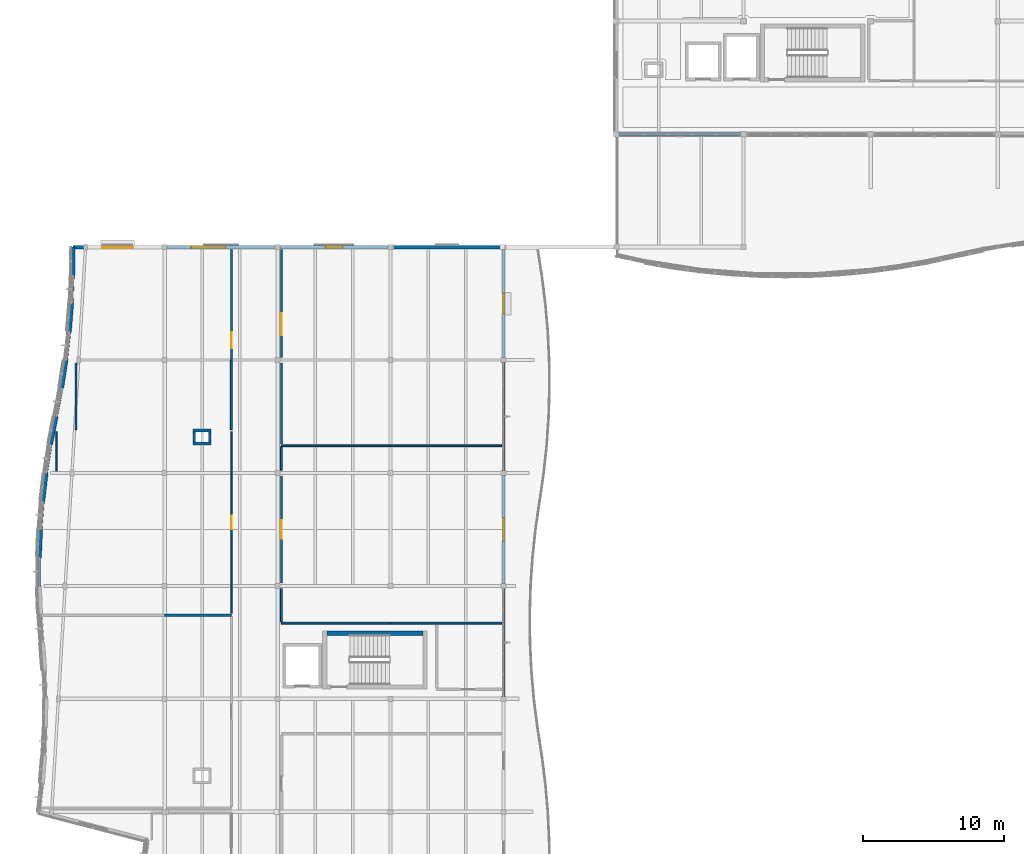
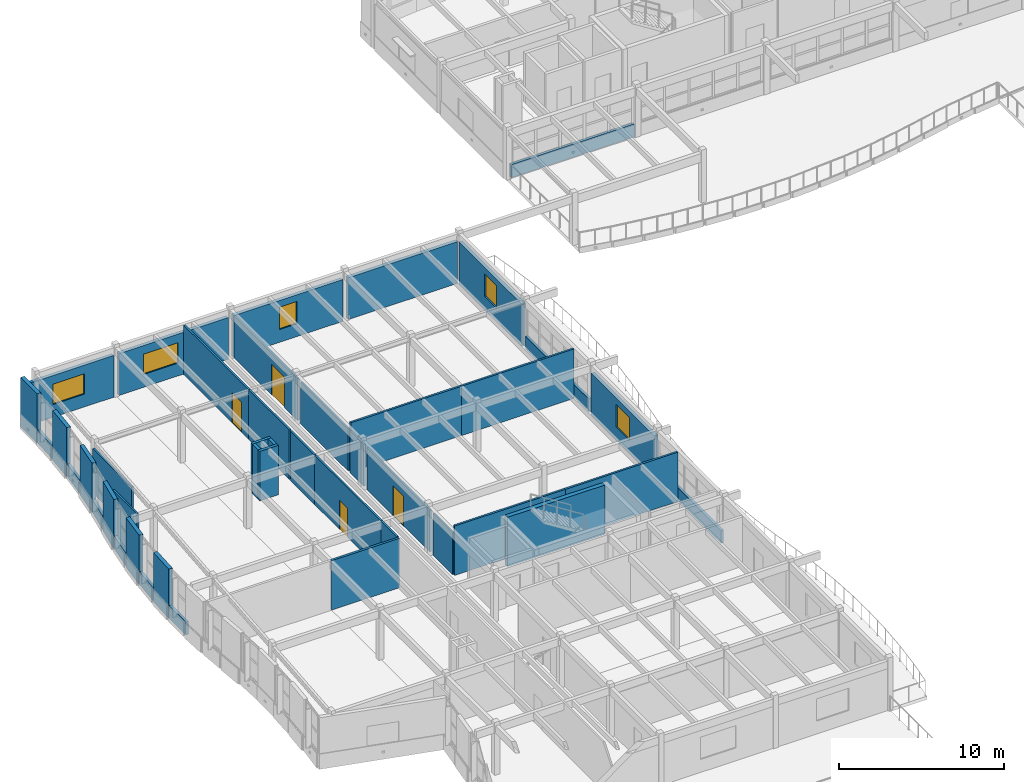
# One storey, part 39 of 63: 43 walls, 5 windows, 4 doors, 9 openings.
"""IFC4 building model written with IfcOpenShell, lengths in metres."""

from ifc_helpers import new_model, si_unit, direction, frame, frame_2d, origin, place, context, subcontext, project, spatial, rectangle, extrude, material, layer, layer_set, type_object, element, fill, save


model = new_model("IFC4")

# Units and contexts
model_context = context("Model", 3, precision=1e-05, world=origin(), true_north=direction((0.0, 1.0)))
body_context = subcontext(model_context, "Body", "Model", "MODEL_VIEW")
ifc_project = project(units=[si_unit("LENGTHUNIT", "METRE"), si_unit("AREAUNIT", "SQUARE_METRE"), si_unit("VOLUMEUNIT", "CUBIC_METRE"), si_unit("PLANEANGLEUNIT", "RADIAN"), si_unit("MASSUNIT", "GRAM", prefix="KILO")], contexts=[model_context])

# Site, building, storey
site_placement = place(None, origin())
site = spatial("IfcSite", under=ifc_project, at=site_placement, CompositionType="ELEMENT")
building_placement = place(site_placement, origin())
building = spatial("IfcBuilding", under=site, at=building_placement, Name="Tonlespit Floodbar School", CompositionType="ELEMENT")
storey_placement = place(building_placement, frame((0.0, 0.0, 8.39990234375)))
storey = spatial("IfcBuildingStorey", under=building, at=storey_placement, Name="L02", CompositionType="ELEMENT", Elevation=8.39990234375)

# Wall
ifc_material_1 = material(Name="Concrete C40/50", Category="concrete")
ifc_layer_1 = layer(ifc_material_1, 0.300048828125)
ifc_layer_set_1 = layer_set([ifc_layer_1], Name="Concrete C40/50")
wall_type_1 = type_object("IfcWallType", Name="CoreWall_RC_300", PredefinedType="SHEAR", material=ifc_layer_set_1)
wall_1_placement = place(storey_placement, frame((30.300048828125, 68.64990234375, 0.0), z_axis=(0.0, 0.0, 1.0), x_axis=(-1.0, 0.0, 0.0)))
element("IfcWall", 1, at=wall_1_placement, inside=storey, type_object=wall_type_1, Name="L02 core C3 shear wall RGHT", PredefinedType="SHEAR", context=body_context, shape_type="SweptSolid", body=[
    extrude(rectangle(XDim=6.800048828125, YDim=0.300048828125, at=frame_2d((3.39990234375, 0.0))), origin(), (0.0, 0.0, 1.0), 3.650146484375),
])

# Wall, opening, window
ifc_material_2 = material(Name="Precast concrete C40/50", Category="concrete")
ifc_layer_2 = layer(ifc_material_2, 0.239990234375)
ifc_layer_set_2 = layer_set([ifc_layer_2], Name="Precast concrete C40/50")
wall_type_2 = type_object("IfcWallType", Name="ExtWall_Rainscreen_240", PredefinedType="SOLIDWALL", material=ifc_layer_set_2)
wall_2_placement = place(storey_placement, frame((5.514892578125, 96.0, 0.0), z_axis=(0.0, 0.0, 1.0), x_axis=(1.0, 0.0, 0.0)))
wall_2 = element("IfcWall", 2, at=wall_2_placement, inside=storey, type_object=wall_type_2, Name="L02 external wall 0406", PredefinedType="SOLIDWALL", context=body_context, shape_type="SweptSolid", body=[
    extrude(rectangle(XDim=6.30517578125, YDim=0.239990234375, at=frame_2d((3.152587890625, 0.0))), origin(), (0.0, 0.0, 1.0), 3.090087890625),
])
opening_1_placement = place(wall_2_placement, frame((2.052490234375, 0.0, 0.949951171875)))
opening_1 = element("IfcOpeningElement", 3, at=opening_1_placement, cuts=wall_2, Name="Opening W-L02-039", PredefinedType="OPENING", context=body_context, shape_type="SweptSolid", body=[
    extrude(rectangle(XDim=2.199951171875, YDim=1.5, at=frame_2d((1.10009765625, 0.75))), frame((0.0, 0.1298828125, 0.0), z_axis=(0.0, -1.0, 0.0), x_axis=(1.0, 0.0, 0.0)), (0.0, 0.0, 1.0), 0.260009765625),
])
ifc_material_3 = material(Name="Tempered Double Glazing", Category="glass")
window_type_1 = type_object("IfcWindowType", Name="Win_Mod_2200x1500", PartitioningType="DOUBLE_PANEL_VERTICAL", PredefinedType="WINDOW", material=ifc_material_3)
window_1_placement = place(opening_1_placement, origin())
window_1 = element("IfcWindow", 4, at=window_1_placement, inside=storey, type_object=window_type_1, Name="L02 window W-L02-039", OverallHeight=1.5, OverallWidth=2.199951171875, PartitioningType="DOUBLE_PANEL_VERTICAL", PredefinedType="WINDOW", context=body_context, shape_type="SweptSolid", body=[
    extrude(rectangle(XDim=2.199951171875, YDim=1.5, at=frame_2d((1.10009765625, 0.75))), frame((0.0, 0.030029296875, 0.0), z_axis=(0.0, -1.0, 0.0), x_axis=(1.0, 0.0, 0.0)), (0.0, 0.0, 1.0), 0.06005859375),
])
fill(opening_1, window_1)

wall_3_placement = place(storey_placement, frame((12.179931640625, 96.0, 0.0), z_axis=(0.0, 0.0, 1.0), x_axis=(1.0, 0.0, 0.0)))
wall_3 = element("IfcWall", 5, at=wall_3_placement, inside=storey, type_object=wall_type_2, Name="L02 external wall 0407", PredefinedType="SOLIDWALL", context=body_context, shape_type="SweptSolid", body=[
    extrude(rectangle(XDim=7.64013671875, YDim=0.239990234375, at=frame_2d((3.820068359375, 0.0))), origin(), (0.0, 0.0, 1.0), 3.090087890625),
])
opening_2_placement = place(wall_3_placement, frame((1.719970703125, 0.0, 0.949951171875)))
opening_2 = element("IfcOpeningElement", 6, at=opening_2_placement, cuts=wall_3, Name="Opening W-L02-040", PredefinedType="OPENING", context=body_context, shape_type="SweptSolid", body=[
    extrude(rectangle(XDim=2.39990234375, YDim=1.5, at=frame_2d((1.199951171875, 0.75))), frame((0.0, 0.1298828125, 0.0), z_axis=(0.0, -1.0, 0.0), x_axis=(1.0, 0.0, 0.0)), (0.0, 0.0, 1.0), 0.260009765625),
])
window_type_2 = type_object("IfcWindowType", Name="Win_Mod_2400x1500", PartitioningType="DOUBLE_PANEL_VERTICAL", PredefinedType="WINDOW", material=ifc_material_3)
window_2_placement = place(opening_2_placement, origin())
window_2 = element("IfcWindow", 7, at=window_2_placement, inside=storey, type_object=window_type_2, Name="L02 window W-L02-040", OverallHeight=1.5, OverallWidth=2.39990234375, PartitioningType="DOUBLE_PANEL_VERTICAL", PredefinedType="WINDOW", context=body_context, shape_type="SweptSolid", body=[
    extrude(rectangle(XDim=2.39990234375, YDim=1.5, at=frame_2d((1.199951171875, 0.75))), frame((0.0, 0.030029296875, 0.0), z_axis=(0.0, -1.0, 0.0), x_axis=(1.0, 0.0, 0.0)), (0.0, 0.0, 1.0), 0.06005859375),
])
fill(opening_2, window_2)

wall_4_placement = place(storey_placement, frame((20.179931640625, 96.0, 0.0), z_axis=(0.0, 0.0, 1.0), x_axis=(1.0, 0.0, 0.0)))
wall_4 = element("IfcWall", 8, at=wall_4_placement, inside=storey, type_object=wall_type_2, Name="L02 external wall 0408", PredefinedType="SOLIDWALL", context=body_context, shape_type="SweptSolid", body=[
    extrude(rectangle(XDim=7.64013671875, YDim=0.239990234375, at=frame_2d((3.820068359375, 0.0))), origin(), (0.0, 0.0, 1.0), 3.090087890625),
])
opening_3_placement = place(wall_4_placement, frame((3.219970703125, 0.0, 0.949951171875)))
opening_3 = element("IfcOpeningElement", 9, at=opening_3_placement, cuts=wall_4, Name="Opening W-L02-041", PredefinedType="OPENING", context=body_context, shape_type="SweptSolid", body=[
    extrude(rectangle(XDim=1.199951171875, YDim=1.64990234375, at=frame_2d((0.60009765625, 0.824951171875))), frame((0.0, 0.1298828125, 0.0), z_axis=(0.0, -1.0, 0.0), x_axis=(1.0, 0.0, 0.0)), (0.0, 0.0, 1.0), 0.260009765625),
])
window_type_3 = type_object("IfcWindowType", Name="Win_Mod_1200x1650", PartitioningType="SINGLE_PANEL", PredefinedType="WINDOW", material=ifc_material_3)
window_3_placement = place(opening_3_placement, origin())
window_3 = element("IfcWindow", 10, at=window_3_placement, inside=storey, type_object=window_type_3, Name="L02 window W-L02-041", OverallHeight=1.64990234375, OverallWidth=1.199951171875, PartitioningType="SINGLE_PANEL", PredefinedType="WINDOW", context=body_context, shape_type="SweptSolid", body=[
    extrude(rectangle(XDim=1.199951171875, YDim=1.64990234375, at=frame_2d((0.60009765625, 0.824951171875))), frame((0.0, 0.030029296875, 0.0), z_axis=(0.0, -1.0, 0.0), x_axis=(1.0, 0.0, 0.0)), (0.0, 0.0, 1.0), 0.06005859375),
])
fill(opening_3, window_3)

# Wall
wall_5_placement = place(storey_placement, frame((28.179931640625, 96.0, 0.0), z_axis=(0.0, 0.0, 1.0), x_axis=(1.0, 0.0, 0.0)))
element("IfcWall", 11, at=wall_5_placement, inside=storey, type_object=wall_type_2, Name="L02 external wall 0409", PredefinedType="SOLIDWALL", context=body_context, shape_type="SweptSolid", body=[
    extrude(rectangle(XDim=7.64013671875, YDim=0.239990234375, at=frame_2d((3.820068359375, 0.0))), origin(), (0.0, 0.0, 1.0), 3.090087890625),
])

# Wall, opening, window
wall_6_placement = place(storey_placement, frame((36.0, 95.820068359375, 0.0), z_axis=(0.0, 0.0, 1.0), x_axis=(0.0, -1.0, 0.0)))
wall_6 = element("IfcWall", 12, at=wall_6_placement, inside=storey, type_object=wall_type_2, Name="L02 external wall 0410", PredefinedType="SOLIDWALL", context=body_context, shape_type="SweptSolid", body=[
    extrude(rectangle(XDim=7.64013671875, YDim=0.239990234375, at=frame_2d((3.820068359375, 0.0))), origin(), (0.0, 0.0, 1.0), 3.090087890625),
])
opening_4_placement = place(wall_6_placement, frame((3.1201171875, 0.0, 0.949951171875)))
opening_4 = element("IfcOpeningElement", 13, at=opening_4_placement, cuts=wall_6, Name="Opening W-L02-042", PredefinedType="OPENING", context=body_context, shape_type="SweptSolid", body=[
    extrude(rectangle(XDim=1.39990234375, YDim=1.64990234375, at=frame_2d((0.699951171875, 0.824951171875))), frame((0.0, 0.1298828125, 0.0), z_axis=(0.0, -1.0, 0.0), x_axis=(1.0, 0.0, 0.0)), (0.0, 0.0, 1.0), 0.260009765625),
])
window_type_4 = type_object("IfcWindowType", Name="Win_Mod_1400x1650", PartitioningType="SINGLE_PANEL", PredefinedType="WINDOW", material=ifc_material_3)
window_4_placement = place(opening_4_placement, origin())
window_4 = element("IfcWindow", 14, at=window_4_placement, inside=storey, type_object=window_type_4, Name="L02 window W-L02-042", OverallHeight=1.64990234375, OverallWidth=1.39990234375, PartitioningType="SINGLE_PANEL", PredefinedType="WINDOW", context=body_context, shape_type="SweptSolid", body=[
    extrude(rectangle(XDim=1.39990234375, YDim=1.64990234375, at=frame_2d((0.699951171875, 0.824951171875))), frame((0.0, 0.030029296875, 0.0), z_axis=(0.0, -1.0, 0.0), x_axis=(1.0, 0.0, 0.0)), (0.0, 0.0, 1.0), 0.06005859375),
])
fill(opening_4, window_4)

wall_7_placement = place(storey_placement, frame((36.0, 79.820068359375, 0.0), z_axis=(0.0, 0.0, 1.0), x_axis=(0.0, -1.0, 0.0)))
wall_7 = element("IfcWall", 15, at=wall_7_placement, inside=storey, type_object=wall_type_2, Name="L02 external wall 0412", PredefinedType="SOLIDWALL", context=body_context, shape_type="SweptSolid", body=[
    extrude(rectangle(XDim=7.64013671875, YDim=0.239990234375, at=frame_2d((3.820068359375, 0.0))), origin(), (0.0, 0.0, 1.0), 3.090087890625),
])
opening_5_placement = place(wall_7_placement, frame((3.02001953125, 0.0, 0.949951171875)))
opening_5 = element("IfcOpeningElement", 16, at=opening_5_placement, cuts=wall_7, Name="Opening W-L02-043", PredefinedType="OPENING", context=body_context, shape_type="SweptSolid", body=[
    extrude(rectangle(XDim=1.60009765625, YDim=1.64990234375, at=frame_2d((0.800048828125, 0.824951171875))), frame((0.0, 0.1298828125, 0.0), z_axis=(0.0, -1.0, 0.0), x_axis=(1.0, 0.0, 0.0)), (0.0, 0.0, 1.0), 0.260009765625),
])
window_type_5 = type_object("IfcWindowType", Name="Win_Mod_1600x1650", PartitioningType="DOUBLE_PANEL_VERTICAL", PredefinedType="WINDOW", material=ifc_material_3)
window_5_placement = place(opening_5_placement, origin())
window_5 = element("IfcWindow", 17, at=window_5_placement, inside=storey, type_object=window_type_5, Name="L02 window W-L02-043", OverallHeight=1.64990234375, OverallWidth=1.60009765625, PartitioningType="DOUBLE_PANEL_VERTICAL", PredefinedType="WINDOW", context=body_context, shape_type="SweptSolid", body=[
    extrude(rectangle(XDim=1.60009765625, YDim=1.64990234375, at=frame_2d((0.800048828125, 0.824951171875))), frame((0.0, 0.030029296875, 0.0), z_axis=(0.0, -1.0, 0.0), x_axis=(1.0, 0.0, 0.0)), (0.0, 0.0, 1.0), 0.06005859375),
])
fill(opening_5, window_5)

# Walls
ifc_layer_3 = layer(ifc_material_2, 0.260009765625)
ifc_layer_set_3 = layer_set([ifc_layer_3], Name="Precast concrete C40/50")
wall_type_3 = type_object("IfcWallType", Name="ExtWall_Rainscreen_260", PredefinedType="SOLIDWALL", material=ifc_layer_set_3)
wall_8_placement = place(storey_placement, frame((3.1494140625, 74.0, 0.0), z_axis=(0.0, 0.0, 1.0), x_axis=(0.040737639062, 0.99916987783, 0.0)))
element("IfcWall", 18, at=wall_8_placement, inside=storey, type_object=wall_type_3, Name="L02 external wall 0395", PredefinedType="SOLIDWALL", context=body_context, shape_type="SweptSolid", body=[
    extrude(rectangle(XDim=2.001708984375, YDim=0.260009765625, at=frame_2d((1.0009765625, 0.0))), origin(), (0.0, 0.0, 1.0), 3.650146484375),
])
wall_9_placement = place(storey_placement, frame((3.389404296875, 78.0, 0.0), z_axis=(0.0, 0.0, 1.0), x_axis=(0.116988959085, 0.99313321536, 0.0)))
element("IfcWall", 19, at=wall_9_placement, inside=storey, type_object=wall_type_3, Name="L02 external wall 0397", PredefinedType="SOLIDWALL", context=body_context, shape_type="SweptSolid", body=[
    extrude(rectangle(XDim=2.013916015625, YDim=0.260009765625, at=frame_2d((1.0068359375, 0.0))), origin(), (0.0, 0.0, 1.0), 3.650146484375),
])
wall_10_placement = place(storey_placement, frame((3.938232421875, 82.0, 0.0), z_axis=(0.0, 0.0, 1.0), x_axis=(0.192267434085, 0.981342566992, 0.0)))
element("IfcWall", 20, at=wall_10_placement, inside=storey, type_object=wall_type_3, Name="L02 external wall 0399", PredefinedType="SOLIDWALL", context=body_context, shape_type="SweptSolid", body=[
    extrude(rectangle(XDim=2.0380859375, YDim=0.260009765625, at=frame_2d((1.01904296875, 0.0))), origin(), (0.0, 0.0, 1.0), 3.650146484375),
])
wall_11_placement = place(storey_placement, frame((4.7216796875, 86.0, 0.0), z_axis=(0.0, 0.0, 1.0), x_axis=(0.15473004848, 0.987956786554, 0.0)))
element("IfcWall", 21, at=wall_11_placement, inside=storey, type_object=wall_type_3, Name="L02 external wall 0401", PredefinedType="SOLIDWALL", context=body_context, shape_type="SweptSolid", body=[
    extrude(rectangle(XDim=2.0244140625, YDim=0.260009765625, at=frame_2d((1.01220703125, 0.0))), origin(), (0.0, 0.0, 1.0), 3.650146484375),
])
wall_12_placement = place(storey_placement, frame((5.2705078125, 90.0, 0.0), z_axis=(0.0, 0.0, 1.0), x_axis=(0.079097106354, 0.996866915775, 0.0)))
element("IfcWall", 22, at=wall_12_placement, inside=storey, type_object=wall_type_3, Name="L02 external wall 0403", PredefinedType="SOLIDWALL", context=body_context, shape_type="SweptSolid", body=[
    extrude(rectangle(XDim=2.00634765625, YDim=0.260009765625, at=frame_2d((1.003173828125, 0.0))), origin(), (0.0, 0.0, 1.0), 3.650146484375),
])
wall_13_placement = place(storey_placement, frame((5.510498046875, 94.0, 0.0), z_axis=(0.0, 0.0, 1.0), x_axis=(0.002197260321, 0.999997586021, 0.0)))
element("IfcWall", 23, at=wall_13_placement, inside=storey, type_object=wall_type_3, Name="L02 external wall 0405", PredefinedType="SOLIDWALL", context=body_context, shape_type="SweptSolid", body=[
    extrude(rectangle(XDim=2.0, YDim=0.260009765625, at=frame_2d((1.0, 0.0))), origin(), (0.0, 0.0, 1.0), 3.650146484375),
])
ifc_material_4 = material(Name="White Architectural Precast concrete C40/50", Category="concrete")
ifc_layer_4 = layer(ifc_material_4, 0.18505859375)
ifc_layer_set_4 = layer_set([ifc_layer_4], Name="White Architectural Precast concrete C40/50")
wall_type_4 = type_object("IfcWallType", Name="ExtWall_Spandrel_White_185", PredefinedType="SOLIDWALL", material=ifc_layer_set_4)
for number, where, z_axis, x_axis, name in (
    (24, (36.0, 87.820068359375, 0.0), (0.0, 0.0, 1.0), (0.0, -1.0, 0.0), "L02 spandrel wall 0411"),
    (25, (36.0, 71.820068359375, 0.0), (0.0, 0.0, 1.0), (0.0, -1.0, 0.0), "L02 spandrel wall 0413"),
):
    element("IfcWall", number, at=place(storey_placement, frame(where, z_axis=z_axis, x_axis=x_axis)), inside=storey, type_object=wall_type_4, Name=name, PredefinedType="SOLIDWALL", context=body_context, shape_type="SweptSolid", body=[
        extrude(rectangle(XDim=7.64013671875, YDim=0.18505859375, at=frame_2d((3.820068359375, 0.0))), origin(), (0.0, 0.0, 1.0), 0.9501953125),
    ])
ifc_layer_5 = layer(ifc_material_4, 0.199951171875)
ifc_layer_set_5 = layer_set([ifc_layer_5], Name="White Architectural Precast concrete C40/50")
wall_type_5 = type_object("IfcWallType", Name="ExtWall_Spandrel_White_200", PredefinedType="SOLIDWALL", material=ifc_layer_set_5)
wall_14_placement = place(storey_placement, frame((52.800048828125, 104.0, 0.0), z_axis=(0.0, 0.0, 1.0), x_axis=(-1.0, 0.0, 0.0)))
element("IfcWall", 26, at=wall_14_placement, inside=storey, type_object=wall_type_5, Name="L02 spandrel wall 0138", PredefinedType="SOLIDWALL", context=body_context, shape_type="SweptSolid", body=[
    extrude(rectangle(XDim=8.60009765625, YDim=0.199951171875, at=frame_2d((4.300048828125, 0.0))), origin(), (0.0, 0.0, 1.0), 0.9501953125),
])
wall_15_placement = place(storey_placement, frame((3.14501953125, 72.0, 0.0), z_axis=(0.0, 0.0, 1.0), x_axis=(0.002197260321, 0.999997586021, 0.0)))
element("IfcWall", 27, at=wall_15_placement, inside=storey, type_object=wall_type_5, Name="L02 spandrel wall 0394", PredefinedType="SOLIDWALL", context=body_context, shape_type="SweptSolid", body=[
    extrude(rectangle(XDim=2.0, YDim=0.199951171875, at=frame_2d((1.0, 0.0))), origin(), (0.0, 0.0, 1.0), 0.9501953125),
])
wall_16_placement = place(storey_placement, frame((3.23095703125, 76.0, 0.0), z_axis=(0.0, 0.0, 1.0), x_axis=(0.078976178075, 0.996876503533, 0.0)))
element("IfcWall", 28, at=wall_16_placement, inside=storey, type_object=wall_type_5, Name="L02 spandrel wall 0396", PredefinedType="SOLIDWALL", context=body_context, shape_type="SweptSolid", body=[
    extrude(rectangle(XDim=2.00634765625, YDim=0.199951171875, at=frame_2d((1.003173828125, 0.0))), origin(), (0.0, 0.0, 1.0), 0.9501953125),
])
wall_17_placement = place(storey_placement, frame((3.625, 80.0, 0.0), z_axis=(0.0, 0.0, 1.0), x_axis=(0.15473004848, 0.987956786554, 0.0)))
element("IfcWall", 29, at=wall_17_placement, inside=storey, type_object=wall_type_5, Name="L02 spandrel wall 0398", PredefinedType="SOLIDWALL", context=body_context, shape_type="SweptSolid", body=[
    extrude(rectangle(XDim=2.0244140625, YDim=0.199951171875, at=frame_2d((1.01220703125, 0.0))), origin(), (0.0, 0.0, 1.0), 0.9501953125),
])
wall_18_placement = place(storey_placement, frame((4.330078125, 84.0, 0.0), z_axis=(0.0, 0.0, 1.0), x_axis=(0.192152065658, 0.981365163262, 0.0)))
element("IfcWall", 30, at=wall_18_placement, inside=storey, type_object=wall_type_5, Name="L02 spandrel wall 0400", PredefinedType="SOLIDWALL", context=body_context, shape_type="SweptSolid", body=[
    extrude(rectangle(XDim=2.0380859375, YDim=0.199951171875, at=frame_2d((1.01904296875, 0.0))), origin(), (0.0, 0.0, 1.0), 0.9501953125),
])
wall_19_placement = place(storey_placement, frame((5.034912109375, 88.0, 0.0), z_axis=(0.0, 0.0, 1.0), x_axis=(0.116988959085, 0.99313321536, 0.0)))
element("IfcWall", 31, at=wall_19_placement, inside=storey, type_object=wall_type_5, Name="L02 spandrel wall 0402", PredefinedType="SOLIDWALL", context=body_context, shape_type="SweptSolid", body=[
    extrude(rectangle(XDim=2.013916015625, YDim=0.199951171875, at=frame_2d((1.0068359375, 0.0))), origin(), (0.0, 0.0, 1.0), 0.9501953125),
])
wall_20_placement = place(storey_placement, frame((5.42919921875, 92.0, 0.0), z_axis=(0.0, 0.0, 1.0), x_axis=(0.04061587159, 0.999174835039, 0.0)))
element("IfcWall", 32, at=wall_20_placement, inside=storey, type_object=wall_type_5, Name="L02 spandrel wall 0404", PredefinedType="SOLIDWALL", context=body_context, shape_type="SweptSolid", body=[
    extrude(rectangle(XDim=2.001708984375, YDim=0.199951171875, at=frame_2d((1.0009765625, 0.0))), origin(), (0.0, 0.0, 1.0), 0.9501953125),
])
ifc_material_5 = material(Name="Gypsum Plasterboard Partition")
ifc_layer_6 = layer(ifc_material_5, 0.159912109375)
ifc_layer_set_6 = layer_set([ifc_layer_6], Name="Gypsum Plasterboard Partition")
wall_type_6 = type_object("IfcWallType", Name="FireWall_Lab_160", PredefinedType="PARTITIONING", material=ifc_layer_set_6)
wall_21_placement = place(storey_placement, frame((12.0, 69.929931640625, 0.0), z_axis=(0.0, 0.0, 1.0), x_axis=(1.0, 0.0, 0.0)))
element("IfcWall", 33, at=wall_21_placement, inside=storey, type_object=wall_type_6, Name="L02 partition wall 0222", PredefinedType="PARTITIONING", context=body_context, shape_type="SweptSolid", body=[
    extrude(rectangle(XDim=4.72998046875, YDim=0.159912109375, at=frame_2d((2.364990234375, 0.0))), origin(), (0.0, 0.0, 1.0), 3.650146484375),
])
ifc_layer_7 = layer(ifc_material_1, 0.199951171875)
ifc_layer_set_7 = layer_set([ifc_layer_7], Name="Concrete C40/50")
wall_type_7 = type_object("IfcWallType", Name="FireWall_Plant_200", PredefinedType="PARTITIONING", material=ifc_layer_set_7)
for number, where, z_axis, x_axis, name in (
    (34, (15.300048828125, 82.10009765625, 0.0), (0.0, 0.0, 1.0), (-1.0, 0.0, 0.0), "L02 service riser 04 wall S"),
    (35, (14.0, 83.0, 0.0), (0.0, 0.0, 1.0), (1.0, 0.0, 0.0), "L02 service riser 04 wall N"),
):
    element("IfcWall", number, at=place(storey_placement, frame(where, z_axis=z_axis, x_axis=x_axis)), inside=storey, type_object=wall_type_7, Name=name, PredefinedType="PARTITIONING", context=body_context, shape_type="SweptSolid", body=[
        extrude(rectangle(XDim=1.300048828125, YDim=0.199951171875, at=frame_2d((0.64990234375, 0.0))), origin(), (0.0, 0.0, 1.0), 3.650146484375),
    ])
for number, where, z_axis, x_axis, name in (
    (36, (14.10009765625, 82.199951171875, 0.0), (0.0, 0.0, 1.0), (0.0, 1.0, 0.0), "L02 service riser 04 wall W"),
    (37, (15.199951171875, 82.89990234375, 0.0), (0.0, 0.0, 1.0), (0.0, -1.0, 0.0), "L02 service riser 04 wall E"),
):
    element("IfcWall", number, at=place(storey_placement, frame(where, z_axis=z_axis, x_axis=x_axis)), inside=storey, type_object=wall_type_7, Name=name, PredefinedType="PARTITIONING", context=body_context, shape_type="SweptSolid", body=[
        extrude(rectangle(XDim=0.699951171875, YDim=0.199951171875, at=frame_2d((0.35009765625, 0.0))), origin(), (0.0, 0.0, 1.0), 3.650146484375),
    ])
ifc_layer_8 = layer(ifc_material_5, 0.1201171875)
ifc_layer_set_8 = layer_set([ifc_layer_8], Name="Gypsum Plasterboard Partition")
wall_type_8 = type_object("IfcWallType", Name="Partition_Gyp_120", PredefinedType="PARTITIONING", material=ifc_layer_set_8)
wall_22_placement = place(storey_placement, frame((4.333984375, 80.0, 0.0), z_axis=(0.0, 0.0, 1.0), x_axis=(0.0, 1.0, 0.0)))
element("IfcWall", 38, at=wall_22_placement, inside=storey, type_object=wall_type_8, Name="L02 partition wall 0225", PredefinedType="PARTITIONING", context=body_context, shape_type="SweptSolid", body=[
    extrude(rectangle(XDim=2.929931640625, YDim=0.1201171875, at=frame_2d((1.46484375, 0.0))), origin(), (0.0, 0.0, 1.0), 3.650146484375),
])
wall_23_placement = place(storey_placement, frame((16.72998046875, 70.070068359375, 0.0), z_axis=(0.0, 0.0, 1.0), x_axis=(0.0, 1.0, 0.0)))
element("IfcWall", 39, at=wall_23_placement, inside=storey, type_object=wall_type_8, Name="L02 partition wall 0226", PredefinedType="PARTITIONING", context=body_context, shape_type="SweptSolid", body=[
    extrude(rectangle(XDim=1.929931640625, YDim=0.1201171875, at=frame_2d((0.96484375, 0.0))), origin(), (0.0, 0.0, 1.0), 3.650146484375),
])

# Wall, opening, door
wall_24_placement = place(storey_placement, frame((16.72998046875, 72.0, 0.0), z_axis=(0.0, 0.0, 1.0), x_axis=(0.0, 1.0, 0.0)))
wall_24 = element("IfcWall", 40, at=wall_24_placement, inside=storey, type_object=wall_type_8, Name="L02 partition wall 0227", PredefinedType="PARTITIONING", context=body_context, shape_type="SweptSolid", body=[
    extrude(rectangle(XDim=8.0, YDim=0.1201171875, at=frame_2d((4.0, 0.0))), origin(), (0.0, 0.0, 1.0), 3.650146484375),
])
opening_6_placement = place(wall_24_placement, frame((4.02001953125, 0.0, 0.0)))
opening_6 = element("IfcOpeningElement", 41, at=opening_6_placement, cuts=wall_24, Name="Opening D-L02-066", PredefinedType="OPENING", context=body_context, shape_type="SweptSolid", body=[
    extrude(rectangle(XDim=0.9599609375, YDim=2.14990234375, at=frame_2d((0.47998046875, 1.074951171875))), frame((0.0, 0.070068359375, 0.0), z_axis=(0.0, -1.0, 0.0), x_axis=(1.0, 0.0, 0.0)), (0.0, 0.0, 1.0), 0.14013671875),
])
ifc_material_6 = material(Name="Hardwood Timber", Category="wood")
door_type_1 = type_object("IfcDoorType", Name="IntDoor_960x2150", OperationType="NOTDEFINED", PredefinedType="DOOR", material=ifc_material_6)
door_1_placement = place(opening_6_placement, origin())
door_1 = element("IfcDoor", 42, at=door_1_placement, inside=storey, type_object=door_type_1, Name="L02 interior door D-L02-066", OperationType="SINGLE_SWING_LEFT", OverallHeight=2.14990234375, OverallWidth=0.9599609375, PredefinedType="DOOR", context=body_context, shape_type="SweptSolid", body=[
    extrude(rectangle(XDim=0.9599609375, YDim=2.14990234375, at=frame_2d((0.47998046875, 1.074951171875))), frame((0.0, 0.02490234375, 0.0), z_axis=(0.0, -1.0, 0.0), x_axis=(1.0, 0.0, 0.0)), (0.0, 0.0, 1.0), 0.050048828125),
])
fill(opening_6, door_1)

# Walls
wall_25_placement = place(storey_placement, frame((16.72998046875, 80.0, 0.0), z_axis=(0.0, 0.0, 1.0), x_axis=(0.0, 1.0, 0.0)))
element("IfcWall", 43, at=wall_25_placement, inside=storey, type_object=wall_type_8, Name="L02 partition wall 0228", PredefinedType="PARTITIONING", context=body_context, shape_type="SweptSolid", body=[
    extrude(rectangle(XDim=2.929931640625, YDim=0.1201171875, at=frame_2d((1.46484375, 0.0))), origin(), (0.0, 0.0, 1.0), 3.650146484375),
])
ifc_layer_9 = layer(ifc_material_5, 0.1298828125)
ifc_layer_set_9 = layer_set([ifc_layer_9], Name="Gypsum Plasterboard Partition")
wall_type_9 = type_object("IfcWallType", Name="Partition_Gyp_130", PredefinedType="PARTITIONING", material=ifc_layer_set_9)
wall_26_placement = place(storey_placement, frame((5.72802734375, 83.070068359375, 0.0), z_axis=(0.0, 0.0, 1.0), x_axis=(0.0, 1.0, 0.0)))
element("IfcWall", 44, at=wall_26_placement, inside=storey, type_object=wall_type_9, Name="L02 partition wall 0229", PredefinedType="PARTITIONING", context=body_context, shape_type="SweptSolid", body=[
    extrude(rectangle(XDim=4.704833984375, YDim=0.1298828125, at=frame_2d((2.3525390625, 0.0))), origin(), (0.0, 0.0, 1.0), 3.2900390625),
])
wall_27_placement = place(storey_placement, frame((16.72998046875, 83.070068359375, 0.0), z_axis=(0.0, 0.0, 1.0), x_axis=(0.0, 1.0, 0.0)))
element("IfcWall", 45, at=wall_27_placement, inside=storey, type_object=wall_type_9, Name="L02 partition wall 0230", PredefinedType="PARTITIONING", context=body_context, shape_type="SweptSolid", body=[
    extrude(rectangle(XDim=4.929931640625, YDim=0.1298828125, at=frame_2d((2.46484375, 0.0))), origin(), (0.0, 0.0, 1.0), 3.650146484375),
])

# Wall, opening, door
wall_28_placement = place(storey_placement, frame((16.72998046875, 88.0, 0.0), z_axis=(0.0, 0.0, 1.0), x_axis=(0.0, 1.0, 0.0)))
wall_28 = element("IfcWall", 46, at=wall_28_placement, inside=storey, type_object=wall_type_9, Name="L02 partition wall 0231", PredefinedType="PARTITIONING", context=body_context, shape_type="SweptSolid", body=[
    extrude(rectangle(XDim=7.837890625, YDim=0.1298828125, at=frame_2d((3.9189453125, 0.0))), origin(), (0.0, 0.0, 1.0), 3.650146484375),
])
opening_7_placement = place(wall_28_placement, frame((0.830078125, 0.0, 0.0)))
opening_7 = element("IfcOpeningElement", 47, at=opening_7_placement, cuts=wall_28, Name="Opening D-L02-067", PredefinedType="OPENING", context=body_context, shape_type="SweptSolid", body=[
    extrude(rectangle(XDim=1.139892578125, YDim=2.199951171875, at=frame_2d((0.56982421875, 1.10009765625))), frame((0.0, 0.074951171875, 0.0), z_axis=(0.0, -1.0, 0.0), x_axis=(1.0, 0.0, 0.0)), (0.0, 0.0, 1.0), 0.14990234375),
])
door_type_2 = type_object("IfcDoorType", Name="IntDoor_1140x2200", OperationType="NOTDEFINED", PredefinedType="DOOR", material=ifc_material_6)
door_2_placement = place(opening_7_placement, origin())
door_2 = element("IfcDoor", 48, at=door_2_placement, inside=storey, type_object=door_type_2, Name="L02 interior door D-L02-067", OperationType="SINGLE_SWING_RIGHT", OverallHeight=2.199951171875, OverallWidth=1.139892578125, PredefinedType="DOOR", context=body_context, shape_type="SweptSolid", body=[
    extrude(rectangle(XDim=1.139892578125, YDim=2.199951171875, at=frame_2d((0.56982421875, 1.10009765625))), frame((0.0, 0.02490234375, 0.0), z_axis=(0.0, -1.0, 0.0), x_axis=(1.0, 0.0, 0.0)), (0.0, 0.0, 1.0), 0.050048828125),
])
fill(opening_7, door_2)

# Walls
ifc_layer_10 = layer(ifc_material_5, 0.139892578125)
ifc_layer_set_10 = layer_set([ifc_layer_10], Name="Gypsum Plasterboard Partition")
wall_type_10 = type_object("IfcWallType", Name="Partition_Gyp_140", PredefinedType="PARTITIONING", material=ifc_layer_set_10)
wall_29_placement = place(storey_placement, frame((20.27001953125, 69.3701171875, 0.0), z_axis=(0.0, 0.0, 1.0), x_axis=(1.0, 0.0, 0.0)))
element("IfcWall", 49, at=wall_29_placement, inside=storey, type_object=wall_type_10, Name="L02 partition wall 0232", PredefinedType="PARTITIONING", context=body_context, shape_type="SweptSolid", body=[
    extrude(rectangle(XDim=7.72998046875, YDim=0.139892578125, at=frame_2d((3.864990234375, 0.0))), origin(), (0.0, 0.0, 1.0), 3.650146484375),
])
wall_30_placement = place(storey_placement, frame((28.0, 69.3701171875, 0.0), z_axis=(0.0, 0.0, 1.0), x_axis=(1.0, 0.0, 0.0)))
element("IfcWall", 50, at=wall_30_placement, inside=storey, type_object=wall_type_10, Name="L02 partition wall 0233", PredefinedType="PARTITIONING", context=body_context, shape_type="SweptSolid", body=[
    extrude(rectangle(XDim=7.865478515625, YDim=0.139892578125, at=frame_2d((3.9326171875, 0.0))), origin(), (0.0, 0.0, 1.0), 3.650146484375),
])
wall_31_placement = place(storey_placement, frame((20.27001953125, 81.929931640625, 0.0), z_axis=(0.0, 0.0, 1.0), x_axis=(1.0, 0.0, 0.0)))
element("IfcWall", 51, at=wall_31_placement, inside=storey, type_object=wall_type_10, Name="L02 partition wall 0234", PredefinedType="PARTITIONING", context=body_context, shape_type="SweptSolid", body=[
    extrude(rectangle(XDim=7.72998046875, YDim=0.139892578125, at=frame_2d((3.864990234375, 0.0))), origin(), (0.0, 0.0, 1.0), 3.650146484375),
])
wall_32_placement = place(storey_placement, frame((28.0, 81.929931640625, 0.0), z_axis=(0.0, 0.0, 1.0), x_axis=(1.0, 0.0, 0.0)))
element("IfcWall", 52, at=wall_32_placement, inside=storey, type_object=wall_type_10, Name="L02 partition wall 0235", PredefinedType="PARTITIONING", context=body_context, shape_type="SweptSolid", body=[
    extrude(rectangle(XDim=7.865478515625, YDim=0.139892578125, at=frame_2d((3.9326171875, 0.0))), origin(), (0.0, 0.0, 1.0), 3.650146484375),
])
wall_33_placement = place(storey_placement, frame((20.27001953125, 69.455078125, 0.0), z_axis=(0.0, 0.0, 1.0), x_axis=(0.0, 1.0, 0.0)))
element("IfcWall", 53, at=wall_33_placement, inside=storey, type_object=wall_type_10, Name="L02 partition wall 0236", PredefinedType="PARTITIONING", context=body_context, shape_type="SweptSolid", body=[
    extrude(rectangle(XDim=2.349853515625, YDim=0.139892578125, at=frame_2d((1.1748046875, 0.0))), origin(), (0.0, 0.0, 1.0), 3.090087890625),
])

# Wall, opening, door
wall_34_placement = place(storey_placement, frame((20.27001953125, 72.195068359375, 0.0), z_axis=(0.0, 0.0, 1.0), x_axis=(0.0, 1.0, 0.0)))
wall_34 = element("IfcWall", 54, at=wall_34_placement, inside=storey, type_object=wall_type_10, Name="L02 partition wall 0237", PredefinedType="PARTITIONING", context=body_context, shape_type="SweptSolid", body=[
    extrude(rectangle(XDim=7.60986328125, YDim=0.139892578125, at=frame_2d((3.804931640625, 0.0))), origin(), (0.0, 0.0, 1.0), 3.090087890625),
])
opening_8_placement = place(wall_34_placement, frame((3.14501953125, 0.0, 0.0)))
opening_8 = element("IfcOpeningElement", 55, at=opening_8_placement, cuts=wall_34, Name="Opening D-L02-068", PredefinedType="OPENING", context=body_context, shape_type="SweptSolid", body=[
    extrude(rectangle(XDim=1.320068359375, YDim=2.199951171875, at=frame_2d((0.66015625, 1.10009765625))), frame((0.0, 0.079833984375, 0.0), z_axis=(0.0, -1.0, 0.0), x_axis=(1.0, 0.0, 0.0)), (0.0, 0.0, 1.0), 0.159912109375),
])
door_type_3 = type_object("IfcDoorType", Name="IntDoor_1320x2200", OperationType="NOTDEFINED", PredefinedType="DOOR", material=ifc_material_6)
door_3_placement = place(opening_8_placement, origin())
door_3 = element("IfcDoor", 56, at=door_3_placement, inside=storey, type_object=door_type_3, Name="L02 interior door D-L02-068", OperationType="SINGLE_SWING_LEFT", OverallHeight=2.199951171875, OverallWidth=1.320068359375, PredefinedType="DOOR", context=body_context, shape_type="SweptSolid", body=[
    extrude(rectangle(XDim=1.320068359375, YDim=2.199951171875, at=frame_2d((0.66015625, 1.10009765625))), frame((0.0, 0.02490234375, 0.0), z_axis=(0.0, -1.0, 0.0), x_axis=(1.0, 0.0, 0.0)), (0.0, 0.0, 1.0), 0.050048828125),
])
fill(opening_8, door_3)

# Walls
wall_35_placement = place(storey_placement, frame((20.27001953125, 80.195068359375, 0.0), z_axis=(0.0, 0.0, 1.0), x_axis=(0.0, 1.0, 0.0)))
element("IfcWall", 57, at=wall_35_placement, inside=storey, type_object=wall_type_10, Name="L02 partition wall 0238", PredefinedType="PARTITIONING", context=body_context, shape_type="SweptSolid", body=[
    extrude(rectangle(XDim=1.64990234375, YDim=0.139892578125, at=frame_2d((0.824951171875, 0.0))), origin(), (0.0, 0.0, 1.0), 3.090087890625),
])
ifc_layer_11 = layer(ifc_material_5, 0.14990234375)
ifc_layer_set_11 = layer_set([ifc_layer_11], Name="Gypsum Plasterboard Partition")
wall_type_11 = type_object("IfcWallType", Name="Partition_Gyp_150", PredefinedType="PARTITIONING", material=ifc_layer_set_11)
wall_36_placement = place(storey_placement, frame((20.27001953125, 82.070068359375, 0.0), z_axis=(0.0, 0.0, 1.0), x_axis=(0.0, 1.0, 0.0)))
element("IfcWall", 58, at=wall_36_placement, inside=storey, type_object=wall_type_11, Name="L02 partition wall 0239", PredefinedType="PARTITIONING", context=body_context, shape_type="SweptSolid", body=[
    extrude(rectangle(XDim=5.73486328125, YDim=0.14990234375, at=frame_2d((2.867431640625, 0.0))), origin(), (0.0, 0.0, 1.0), 3.090087890625),
])

# Wall, opening, door
wall_37_placement = place(storey_placement, frame((20.27001953125, 88.195068359375, 0.0), z_axis=(0.0, 0.0, 1.0), x_axis=(0.0, 1.0, 0.0)))
wall_37 = element("IfcWall", 59, at=wall_37_placement, inside=storey, type_object=wall_type_11, Name="L02 partition wall 0240", PredefinedType="PARTITIONING", context=body_context, shape_type="SweptSolid", body=[
    extrude(rectangle(XDim=7.642822265625, YDim=0.14990234375, at=frame_2d((3.8212890625, 0.0))), origin(), (0.0, 0.0, 1.0), 3.090087890625),
])
opening_9_placement = place(wall_37_placement, frame((1.574951171875, 0.0, 0.0)))
opening_9 = element("IfcOpeningElement", 60, at=opening_9_placement, cuts=wall_37, Name="Opening D-L02-069", PredefinedType="OPENING", context=body_context, shape_type="SweptSolid", body=[
    extrude(rectangle(XDim=1.56005859375, YDim=2.25, at=frame_2d((0.780029296875, 1.125))), frame((0.0, 0.0849609375, 0.0), z_axis=(0.0, -1.0, 0.0), x_axis=(1.0, 0.0, 0.0)), (0.0, 0.0, 1.0), 0.169921875),
])
door_type_4 = type_object("IfcDoorType", Name="IntDoor_1560x2250", OperationType="NOTDEFINED", PredefinedType="DOOR", material=ifc_material_6)
door_4_placement = place(opening_9_placement, origin())
door_4 = element("IfcDoor", 61, at=door_4_placement, inside=storey, type_object=door_type_4, Name="L02 interior door D-L02-069", OperationType="SINGLE_SWING_RIGHT", OverallHeight=2.25, OverallWidth=1.56005859375, PredefinedType="DOOR", context=body_context, shape_type="SweptSolid", body=[
    extrude(rectangle(XDim=1.56005859375, YDim=2.25, at=frame_2d((0.780029296875, 1.125))), frame((0.0, 0.02490234375, 0.0), z_axis=(0.0, -1.0, 0.0), x_axis=(1.0, 0.0, 0.0)), (0.0, 0.0, 1.0), 0.050048828125),
])
fill(opening_9, door_4)

save(model, "model.ifc")
